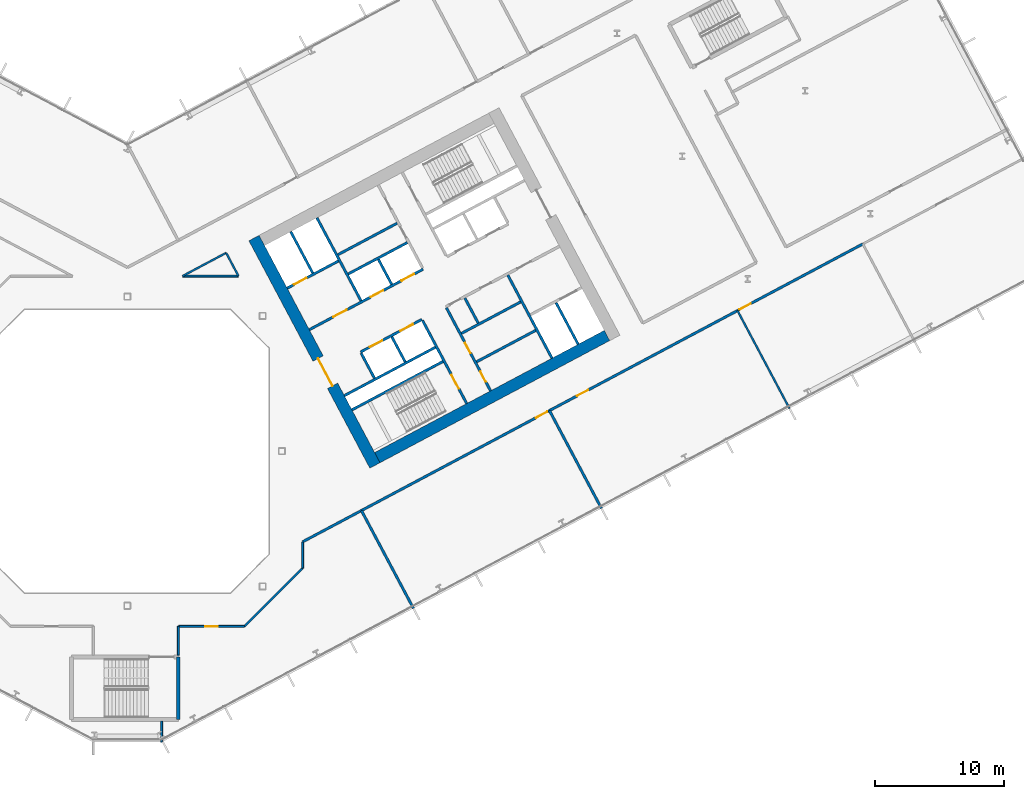
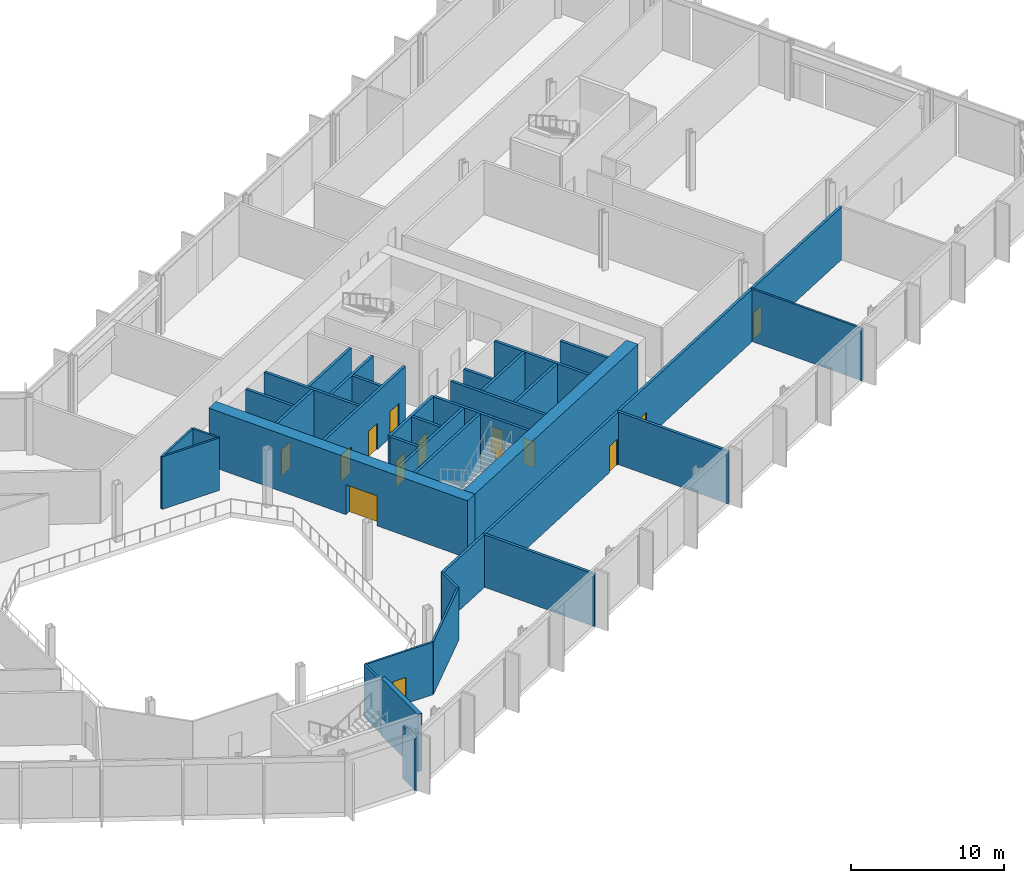
# One storey, part 17 of 31: 34 walls, 14 doors, 14 openings.
"""IFC4 building model written with IfcOpenShell, lengths in metres."""

from ifc_helpers import new_model, si_unit, direction, frame, frame_2d, origin, place, context, subcontext, project, spatial, rectangle, extrude, material, layer, layer_set, type_object, element, fill, save


model = new_model("IFC4")

# Units and contexts
model_context = context("Model", 3, precision=1e-05, world=origin(), true_north=direction((0.0, 1.0)))
body_context = subcontext(model_context, "Body", "Model", "MODEL_VIEW")
ifc_project = project(units=[si_unit("LENGTHUNIT", "METRE"), si_unit("AREAUNIT", "SQUARE_METRE"), si_unit("VOLUMEUNIT", "CUBIC_METRE"), si_unit("PLANEANGLEUNIT", "RADIAN"), si_unit("MASSUNIT", "GRAM", prefix="KILO")], contexts=[model_context])

# Site, building, storey
site_placement = place(None, origin())
site = spatial("IfcSite", under=ifc_project, at=site_placement, CompositionType="ELEMENT")
building_placement = place(site_placement, origin())
building = spatial("IfcBuilding", under=site, at=building_placement, Name="Cormorant Relay Tower", CompositionType="ELEMENT")
storey_placement = place(building_placement, frame((0.0, 0.0, 93.800048828125)))
storey = spatial("IfcBuildingStorey", under=building, at=storey_placement, Name="L18", CompositionType="ELEMENT", Elevation=93.800048828125)

# Walls
ifc_material_1 = material(Name="Concrete 40 MPa", Category="concrete")
ifc_layer_1 = layer(ifc_material_1, 0.199951171875)
ifc_layer_set_1 = layer_set([ifc_layer_1], Name="Core internal wall 200")
wall_type_1 = type_object("IfcWallType", Name="Core internal wall 200", PredefinedType="SOLIDWALL", material=ifc_layer_set_1)
for number, where, z_axis, x_axis, name in (
    (1, (21.567626953125, 6.9375, 0.0), (0.0, 0.0, 1.0), (-0.469533832133, 0.882914480843, 0.0), "L18 core B shaft and room wall"),
    (2, (20.522216796875, 12.950439453125, 0.0), (0.0, 0.0, 1.0), (-0.469401318492, 0.882984938828, 0.0), "L18 core B shaft and room wall"),
    (3, (27.236083984375, 9.951416015625, 0.0), (0.0, 0.0, 1.0), (-0.4694473164, 0.882960484464, 0.0), "L18 core B shaft and room wall"),
):
    element("IfcWall", number, at=place(storey_placement, frame(where, z_axis=z_axis, x_axis=x_axis)), inside=storey, type_object=wall_type_1, Name=name, PredefinedType="SOLIDWALL", context=body_context, shape_type="SweptSolid", body=[
        extrude(rectangle(XDim=2.199951171875, YDim=0.199951171875, at=frame_2d((1.10009765625, 0.0))), origin(), (0.0, 0.0, 1.0), 4.599853515625),
    ])
for number, where, z_axis, x_axis, name in (
    (4, (27.11474609375, 6.942138671875, 0.0), (0.0, 0.0, 1.0), (0.882934506056, 0.469496174655, 0.0), "L18 core B shaft and room wall"),
    (5, (16.3486328125, 15.26171875, 0.0), (0.0, 0.0, 1.0), (0.882953967957, 0.469459572775, 0.0), "L18 core B shaft and room wall"),
):
    element("IfcWall", number, at=place(storey_placement, frame(where, z_axis=z_axis, x_axis=x_axis)), inside=storey, type_object=wall_type_1, Name=name, PredefinedType="SOLIDWALL", context=body_context, shape_type="SweptSolid", body=[
        extrude(rectangle(XDim=5.199951171875, YDim=0.199951171875, at=frame_2d((2.60009765625, 0.0))), origin(), (0.0, 0.0, 1.0), 4.599853515625),
    ])
ifc_material_2 = material(Name="Concrete 50 MPa", Category="concrete")
ifc_layer_2 = layer(ifc_material_2, 0.199951171875)
ifc_layer_set_2 = layer_set([ifc_layer_2], Name="Core shaft wall 200")
wall_type_2 = type_object("IfcWallType", Name="Core shaft wall 200", PredefinedType="SHEAR", material=ifc_layer_set_2)
wall_1_placement = place(storey_placement, frame((14.39404296875, 13.825927734375, 0.0), z_axis=(0.0, 0.0, 1.0), x_axis=(-0.469494272526, 0.882935517501, 0.0)))
element("IfcWall", 6, at=wall_1_placement, inside=storey, type_object=wall_type_2, Name="L18 core B shaft wall", PredefinedType="SHEAR", context=body_context, shape_type="SweptSolid", body=[
    extrude(rectangle(XDim=3.64990234375, YDim=0.199951171875, at=frame_2d((1.824951171875, 0.0))), origin(), (0.0, 0.0, 1.0), 4.599853515625),
])
wall_2_placement = place(storey_placement, frame((19.18359375, 5.669921875, 0.0), z_axis=(0.0, 0.0, 1.0), x_axis=(-0.4694473164, 0.882960484464, 0.0)))
element("IfcWall", 7, at=wall_2_placement, inside=storey, type_object=wall_type_2, Name="L18 core B shaft wall", PredefinedType="SHEAR", context=body_context, shape_type="SweptSolid", body=[
    extrude(rectangle(XDim=2.199951171875, YDim=0.199951171875, at=frame_2d((1.10009765625, 0.0))), origin(), (0.0, 0.0, 1.0), 4.599853515625),
])
wall_3_placement = place(storey_placement, frame((18.138427734375, 11.682861328125, 0.0), z_axis=(0.0, 0.0, 1.0), x_axis=(-0.469480409012, 0.88294288918, 0.0)))
element("IfcWall", 8, at=wall_3_placement, inside=storey, type_object=wall_type_2, Name="L18 core B shaft wall", PredefinedType="SHEAR", context=body_context, shape_type="SweptSolid", body=[
    extrude(rectangle(XDim=7.300048828125, YDim=0.199951171875, at=frame_2d((3.64990234375, 0.0))), origin(), (0.0, 0.0, 1.0), 4.599853515625),
])

# Wall, opening, door
wall_4_placement = place(storey_placement, frame((26.345947265625, 3.701904296875, 0.0), z_axis=(0.0, 0.0, 1.0), x_axis=(-0.469480409012, 0.88294288918, 0.0)))
wall_4 = element("IfcWall", 9, at=wall_4_placement, inside=storey, type_object=wall_type_2, Name="L18 core B shaft wall", PredefinedType="SHEAR", context=body_context, shape_type="SweptSolid", body=[
    extrude(rectangle(XDim=7.300048828125, YDim=0.199951171875, at=frame_2d((3.64990234375, 0.0))), origin(), (0.0, 0.0, 1.0), 4.599853515625),
])
opening_1_placement = place(wall_4_placement, frame((1.300048828125, 0.0, 0.0)))
opening_1 = element("IfcOpeningElement", 10, at=opening_1_placement, cuts=wall_4, Name="Opening CDB-026", PredefinedType="OPENING", context=body_context, shape_type="SweptSolid", body=[
    extrude(rectangle(XDim=1.199951171875, YDim=2.10009765625, at=frame_2d((0.60009765625, 1.050048828125))), frame((0.0, 0.10986328125, 0.0), z_axis=(0.0, -1.0, 0.0), x_axis=(1.0, 0.0, 0.0)), (0.0, 0.0, 1.0), 0.219970703125),
])
ifc_material_3 = material(Name="Steel fire door", Category="steel")
door_type_1 = type_object("IfcDoorType", Name="Core stair door 1200x2100", OperationType="SINGLE_SWING_LEFT", PredefinedType="DOOR", material=ifc_material_3)
door_1_placement = place(opening_1_placement, origin())
door_1 = element("IfcDoor", 11, at=door_1_placement, inside=storey, type_object=door_type_1, Name="Core stair door 1200x2100", OperationType="SINGLE_SWING_RIGHT", OverallHeight=2.10009765625, OverallWidth=1.199951171875, PredefinedType="DOOR", context=body_context, shape_type="SweptSolid", body=[
    extrude(rectangle(XDim=1.199951171875, YDim=2.10009765625, at=frame_2d((0.60009765625, 1.050048828125))), frame((0.0, 0.02490234375, 0.0), z_axis=(0.0, -1.0, 0.0), x_axis=(1.0, 0.0, 0.0)), (0.0, 0.0, 1.0), 0.050048828125),
])
fill(opening_1, door_1)

# Wall, openings, doors
wall_5_placement = place(storey_placement, frame((28.199951171875, 4.687744140625, 0.0), z_axis=(0.0, 0.0, 1.0), x_axis=(-0.469454336211, 0.882956752176, 0.0)))
wall_5 = element("IfcWall", 12, at=wall_5_placement, inside=storey, type_object=wall_type_2, Name="L18 core B shaft wall", PredefinedType="SHEAR", context=body_context, shape_type="SweptSolid", body=[
    extrude(rectangle(XDim=7.300048828125, YDim=0.199951171875, at=frame_2d((3.64990234375, 0.0))), origin(), (0.0, 0.0, 1.0), 4.599853515625),
])
opening_2_placement = place(wall_5_placement, frame((0.800048828125, 0.0, 0.0)))
opening_2 = element("IfcOpeningElement", 13, at=opening_2_placement, cuts=wall_5, Name="Opening CDD-124", PredefinedType="OPENING", context=body_context, shape_type="SweptSolid", body=[
    extrude(rectangle(XDim=0.89990234375, YDim=2.10009765625, at=frame_2d((0.449951171875, 1.050048828125))), frame((0.0, 0.10986328125, 0.0), z_axis=(0.0, -1.0, 0.0), x_axis=(1.0, 0.0, 0.0)), (0.0, 0.0, 1.0), 0.219970703125),
])
opening_3_placement = place(wall_5_placement, frame((3.300048828125, 0.0, 0.0)))
opening_3 = element("IfcOpeningElement", 14, at=opening_3_placement, cuts=wall_5, Name="Opening CDD-125", PredefinedType="OPENING", context=body_context, shape_type="SweptSolid", body=[
    extrude(rectangle(XDim=0.89990234375, YDim=2.10009765625, at=frame_2d((0.449951171875, 1.050048828125))), frame((0.0, 0.10986328125, 0.0), z_axis=(0.0, -1.0, 0.0), x_axis=(1.0, 0.0, 0.0)), (0.0, 0.0, 1.0), 0.219970703125),
])
ifc_material_4 = material(Name="Steel fire door", Category="steel")
door_type_2 = type_object("IfcDoorType", Name="Core room door 900x2100", OperationType="SINGLE_SWING_LEFT", PredefinedType="DOOR", material=ifc_material_4)
door_2_placement = place(opening_2_placement, frame((0.89990234375, 0.0, 0.0), z_axis=(0.0, 0.0, 1.0), x_axis=(-1.0, 0.0, 0.0)))
door_2 = element("IfcDoor", 15, at=door_2_placement, inside=storey, type_object=door_type_2, Name="Core room door 900x2100", OperationType="SINGLE_SWING_LEFT", OverallHeight=2.10009765625, OverallWidth=0.89990234375, PredefinedType="DOOR", context=body_context, shape_type="SweptSolid", body=[
    extrude(rectangle(XDim=0.89990234375, YDim=2.10009765625, at=frame_2d((0.449951171875, 1.050048828125))), frame((0.0, 0.02490234375, 0.0), z_axis=(0.0, -1.0, 0.0), x_axis=(1.0, 0.0, 0.0)), (0.0, 0.0, 1.0), 0.050048828125),
])
fill(opening_2, door_2)
door_3_placement = place(opening_3_placement, frame((0.89990234375, 0.0, 0.0), z_axis=(0.0, 0.0, 1.0), x_axis=(-1.0, 0.0, 0.0)))
door_3 = element("IfcDoor", 16, at=door_3_placement, inside=storey, type_object=door_type_2, Name="Core room door 900x2100", OperationType="SINGLE_SWING_LEFT", OverallHeight=2.10009765625, OverallWidth=0.89990234375, PredefinedType="DOOR", context=body_context, shape_type="SweptSolid", body=[
    extrude(rectangle(XDim=0.89990234375, YDim=2.10009765625, at=frame_2d((0.449951171875, 1.050048828125))), frame((0.0, 0.02490234375, 0.0), z_axis=(0.0, -1.0, 0.0), x_axis=(1.0, 0.0, 0.0)), (0.0, 0.0, 1.0), 0.050048828125),
])
fill(opening_3, door_3)

# Walls
wall_6_placement = place(storey_placement, frame((32.968017578125, 7.222900390625, 0.0), z_axis=(0.0, 0.0, 1.0), x_axis=(-0.469480409012, 0.88294288918, 0.0)))
element("IfcWall", 17, at=wall_6_placement, inside=storey, type_object=wall_type_2, Name="L18 core B shaft wall", PredefinedType="SHEAR", context=body_context, shape_type="SweptSolid", body=[
    extrude(rectangle(XDim=7.300048828125, YDim=0.199951171875, at=frame_2d((3.64990234375, 0.0))), origin(), (0.0, 0.0, 1.0), 4.599853515625),
])
wall_7_placement = place(storey_placement, frame((34.998779296875, 8.302734375, 0.0), z_axis=(0.0, 0.0, 1.0), x_axis=(-0.4694665462, 0.882950260207, 0.0)))
element("IfcWall", 18, at=wall_7_placement, inside=storey, type_object=wall_type_2, Name="L18 core B shaft wall", PredefinedType="SHEAR", context=body_context, shape_type="SweptSolid", body=[
    extrude(rectangle(XDim=3.650146484375, YDim=0.199951171875, at=frame_2d((1.8251953125, 0.0))), origin(), (0.0, 0.0, 1.0), 4.599853515625),
])
for number, where, z_axis, x_axis, name in (
    (19, (17.43359375, 3.210205078125, 0.0), (0.0, 0.0, 1.0), (0.882940221191, 0.469485426614, 0.0), "L18 core B shaft wall"),
    (20, (16.8466796875, 4.31396484375, 0.0), (0.0, 0.0, 1.0), (0.882940221191, 0.469485426614, 0.0), "L18 core B shaft wall"),
):
    element("IfcWall", number, at=place(storey_placement, frame(where, z_axis=z_axis, x_axis=x_axis)), inside=storey, type_object=wall_type_2, Name=name, PredefinedType="SHEAR", context=body_context, shape_type="SweptSolid", body=[
        extrude(rectangle(XDim=8.0, YDim=0.199951171875, at=frame_2d((4.0, 0.0))), origin(), (0.0, 0.0, 1.0), 4.599853515625),
    ])
wall_8_placement = place(storey_placement, frame((25.94091796875, 9.149658203125, 0.0), z_axis=(0.0, 0.0, 1.0), x_axis=(0.882953967957, 0.469459572775, 0.0)))
element("IfcWall", 21, at=wall_8_placement, inside=storey, type_object=wall_type_2, Name="L18 core B shaft wall", PredefinedType="SHEAR", context=body_context, shape_type="SweptSolid", body=[
    extrude(rectangle(XDim=5.199951171875, YDim=0.199951171875, at=frame_2d((2.60009765625, 0.0))), origin(), (0.0, 0.0, 1.0), 4.599853515625),
])

# Wall, openings, doors
wall_9_placement = place(storey_placement, frame((18.103759765625, 7.70068359375, 0.0), z_axis=(0.0, 0.0, 1.0), x_axis=(0.882952937579, 0.469461510692, 0.0)))
wall_9 = element("IfcWall", 22, at=wall_9_placement, inside=storey, type_object=wall_type_2, Name="L18 core B shaft wall", PredefinedType="SHEAR", context=body_context, shape_type="SweptSolid", body=[
    extrude(rectangle(XDim=5.400146484375, YDim=0.199951171875, at=frame_2d((2.7001953125, 0.0))), origin(), (0.0, 0.0, 1.0), 4.599853515625),
])
opening_4_placement = place(wall_9_placement, frame((0.800048828125, 0.0, 0.0)))
opening_4 = element("IfcOpeningElement", 23, at=opening_4_placement, cuts=wall_9, Name="Opening LD1-032", PredefinedType="OPENING", context=body_context, shape_type="SweptSolid", body=[
    extrude(rectangle(XDim=1.10009765625, YDim=2.10009765625, at=frame_2d((0.550048828125, 1.050048828125))), frame((0.0, 0.10986328125, 0.0), z_axis=(0.0, -1.0, 0.0), x_axis=(1.0, 0.0, 0.0)), (0.0, 0.0, 1.0), 0.219970703125),
])
opening_5_placement = place(wall_9_placement, frame((3.5, 0.0, 0.0)))
opening_5 = element("IfcOpeningElement", 24, at=opening_5_placement, cuts=wall_9, Name="Opening LD1-033", PredefinedType="OPENING", context=body_context, shape_type="SweptSolid", body=[
    extrude(rectangle(XDim=1.10009765625, YDim=2.10009765625, at=frame_2d((0.550048828125, 1.050048828125))), frame((0.0, 0.10986328125, 0.0), z_axis=(0.0, -1.0, 0.0), x_axis=(1.0, 0.0, 0.0)), (0.0, 0.0, 1.0), 0.219970703125),
])
ifc_material_5 = material(Name="Stainless steel 316", Category="steel")
door_type_3 = type_object("IfcDoorType", Name="Lift landing door 1100x2100", OperationType="DOUBLE_DOOR_SLIDING", PredefinedType="DOOR", material=ifc_material_5)
door_4_placement = place(opening_4_placement, origin())
door_4 = element("IfcDoor", 25, at=door_4_placement, inside=storey, type_object=door_type_3, Name="LR5 landing door", OperationType="DOUBLE_DOOR_SLIDING", OverallHeight=2.10009765625, OverallWidth=1.10009765625, PredefinedType="DOOR", context=body_context, shape_type="SweptSolid", body=[
    extrude(rectangle(XDim=1.10009765625, YDim=2.10009765625, at=frame_2d((0.550048828125, 1.050048828125))), frame((0.0, 0.02490234375, 0.0), z_axis=(0.0, -1.0, 0.0), x_axis=(1.0, 0.0, 0.0)), (0.0, 0.0, 1.0), 0.050048828125),
])
fill(opening_4, door_4)
door_5_placement = place(opening_5_placement, origin())
door_5 = element("IfcDoor", 26, at=door_5_placement, inside=storey, type_object=door_type_3, Name="LR6 landing door", OperationType="DOUBLE_DOOR_SLIDING", OverallHeight=2.10009765625, OverallWidth=1.10009765625, PredefinedType="DOOR", context=body_context, shape_type="SweptSolid", body=[
    extrude(rectangle(XDim=1.10009765625, YDim=2.10009765625, at=frame_2d((0.550048828125, 1.050048828125))), frame((0.0, 0.02490234375, 0.0), z_axis=(0.0, -1.0, 0.0), x_axis=(1.0, 0.0, 0.0)), (0.0, 0.0, 1.0), 0.050048828125),
])
fill(opening_5, door_5)

wall_10_placement = place(storey_placement, frame((14.123779296875, 9.43505859375, 0.0), z_axis=(0.0, 0.0, 1.0), x_axis=(0.882940221191, 0.469485426614, 0.0)))
wall_10 = element("IfcWall", 27, at=wall_10_placement, inside=storey, type_object=wall_type_2, Name="L18 core B shaft wall", PredefinedType="SHEAR", context=body_context, shape_type="SweptSolid", body=[
    extrude(rectangle(XDim=10.0, YDim=0.199951171875, at=frame_2d((5.0, 0.0))), origin(), (0.0, 0.0, 1.0), 4.599853515625),
])
opening_6_placement = place(wall_10_placement, frame((2.10009765625, 0.0, 0.0)))
opening_6 = element("IfcOpeningElement", 28, at=opening_6_placement, cuts=wall_10, Name="Opening CDC-019", PredefinedType="OPENING", context=body_context, shape_type="SweptSolid", body=[
    extrude(rectangle(XDim=1.199951171875, YDim=2.10009765625, at=frame_2d((0.60009765625, 1.050048828125))), frame((0.0, 0.10986328125, 0.0), z_axis=(0.0, -1.0, 0.0), x_axis=(1.0, 0.0, 0.0)), (0.0, 0.0, 1.0), 0.219970703125),
])
opening_7_placement = place(wall_10_placement, frame((5.39990234375, 0.0, 0.0)))
opening_7 = element("IfcOpeningElement", 29, at=opening_7_placement, cuts=wall_10, Name="Opening LD1-028", PredefinedType="OPENING", context=body_context, shape_type="SweptSolid", body=[
    extrude(rectangle(XDim=1.10009765625, YDim=2.10009765625, at=frame_2d((0.550048828125, 1.050048828125))), frame((0.0, 0.10986328125, 0.0), z_axis=(0.0, -1.0, 0.0), x_axis=(1.0, 0.0, 0.0)), (0.0, 0.0, 1.0), 0.219970703125),
])
opening_8_placement = place(wall_10_placement, frame((8.10009765625, 0.0, 0.0)))
opening_8 = element("IfcOpeningElement", 30, at=opening_8_placement, cuts=wall_10, Name="Opening LD1-029", PredefinedType="OPENING", context=body_context, shape_type="SweptSolid", body=[
    extrude(rectangle(XDim=1.10009765625, YDim=2.10009765625, at=frame_2d((0.550048828125, 1.050048828125))), frame((0.0, 0.10986328125, 0.0), z_axis=(0.0, -1.0, 0.0), x_axis=(1.0, 0.0, 0.0)), (0.0, 0.0, 1.0), 0.219970703125),
])
ifc_material_6 = material(Name="Steel fire door", Category="steel")
door_type_4 = type_object("IfcDoorType", Name="Core lobby door 1200x2100", OperationType="SINGLE_SWING_LEFT", PredefinedType="DOOR", material=ifc_material_6)
door_6_placement = place(opening_6_placement, origin())
door_6 = element("IfcDoor", 31, at=door_6_placement, inside=storey, type_object=door_type_4, Name="Core lobby door 1200x2100", OperationType="SINGLE_SWING_RIGHT", OverallHeight=2.10009765625, OverallWidth=1.199951171875, PredefinedType="DOOR", context=body_context, shape_type="SweptSolid", body=[
    extrude(rectangle(XDim=1.199951171875, YDim=2.10009765625, at=frame_2d((0.60009765625, 1.050048828125))), frame((0.0, 0.02490234375, 0.0), z_axis=(0.0, -1.0, 0.0), x_axis=(1.0, 0.0, 0.0)), (0.0, 0.0, 1.0), 0.050048828125),
])
fill(opening_6, door_6)
door_7_placement = place(opening_7_placement, origin())
door_7 = element("IfcDoor", 32, at=door_7_placement, inside=storey, type_object=door_type_3, Name="LR1 landing door", OperationType="DOUBLE_DOOR_SLIDING", OverallHeight=2.10009765625, OverallWidth=1.10009765625, PredefinedType="DOOR", context=body_context, shape_type="SweptSolid", body=[
    extrude(rectangle(XDim=1.10009765625, YDim=2.10009765625, at=frame_2d((0.550048828125, 1.050048828125))), frame((0.0, 0.02490234375, 0.0), z_axis=(0.0, -1.0, 0.0), x_axis=(1.0, 0.0, 0.0)), (0.0, 0.0, 1.0), 0.050048828125),
])
fill(opening_7, door_7)
door_8_placement = place(opening_8_placement, origin())
door_8 = element("IfcDoor", 33, at=door_8_placement, inside=storey, type_object=door_type_3, Name="LR2 landing door", OperationType="DOUBLE_DOOR_SLIDING", OverallHeight=2.10009765625, OverallWidth=1.10009765625, PredefinedType="DOOR", context=body_context, shape_type="SweptSolid", body=[
    extrude(rectangle(XDim=1.10009765625, YDim=2.10009765625, at=frame_2d((0.550048828125, 1.050048828125))), frame((0.0, 0.02490234375, 0.0), z_axis=(0.0, -1.0, 0.0), x_axis=(1.0, 0.0, 0.0)), (0.0, 0.0, 1.0), 0.050048828125),
])
fill(opening_8, door_8)

# Wall
wall_11_placement = place(storey_placement, frame((17.146728515625, 13.7607421875, 0.0), z_axis=(0.0, 0.0, 1.0), x_axis=(0.882964314875, 0.469440111896, 0.0)))
element("IfcWall", 34, at=wall_11_placement, inside=storey, type_object=wall_type_2, Name="L18 core B shaft wall", PredefinedType="SHEAR", context=body_context, shape_type="SweptSolid", body=[
    extrude(rectangle(XDim=5.2001953125, YDim=0.199951171875, at=frame_2d((2.60009765625, 0.0))), origin(), (0.0, 0.0, 1.0), 4.599853515625),
])

# Wall, opening, door
wall_12_placement = place(storey_placement, frame((12.41015625, 12.657958984375, 0.0), z_axis=(0.0, 0.0, 1.0), x_axis=(0.8829484765, 0.469469900894, 0.0)))
wall_12 = element("IfcWall", 35, at=wall_12_placement, inside=storey, type_object=wall_type_2, Name="L18 core B shaft wall", PredefinedType="SHEAR", context=body_context, shape_type="SweptSolid", body=[
    extrude(rectangle(XDim=4.499755859375, YDim=0.199951171875, at=frame_2d((2.25, 0.0))), origin(), (0.0, 0.0, 1.0), 4.599853515625),
])
opening_9_placement = place(wall_12_placement, frame((0.60009765625, 0.0, 0.0)))
opening_9 = element("IfcOpeningElement", 36, at=opening_9_placement, cuts=wall_12, Name="Opening LD1-034", PredefinedType="OPENING", context=body_context, shape_type="SweptSolid", body=[
    extrude(rectangle(XDim=1.10009765625, YDim=2.10009765625, at=frame_2d((0.550048828125, 1.050048828125))), frame((0.0, 0.10986328125, 0.0), z_axis=(0.0, -1.0, 0.0), x_axis=(1.0, 0.0, 0.0)), (0.0, 0.0, 1.0), 0.219970703125),
])
door_9_placement = place(opening_9_placement, origin())
door_9 = element("IfcDoor", 37, at=door_9_placement, inside=storey, type_object=door_type_3, Name="FF2 landing door", OperationType="DOUBLE_DOOR_SLIDING", OverallHeight=2.10009765625, OverallWidth=1.10009765625, PredefinedType="DOOR", context=body_context, shape_type="SweptSolid", body=[
    extrude(rectangle(XDim=1.10009765625, YDim=2.10009765625, at=frame_2d((0.550048828125, 1.050048828125))), frame((0.0, 0.02490234375, 0.0), z_axis=(0.0, -1.0, 0.0), x_axis=(1.0, 0.0, 0.0)), (0.0, 0.0, 1.0), 0.050048828125),
])
fill(opening_9, door_9)

ifc_material_7 = material(Name="Concrete 70 MPa", Category="concrete")
ifc_layer_3 = layer(ifc_material_7, 0.89990234375)
ifc_layer_set_3 = layer_set([ifc_layer_3], Name="Core wall 900")
wall_type_3 = type_object("IfcWallType", Name="Core wall 900", PredefinedType="SHEAR", material=ifc_layer_set_3)
wall_13_placement = place(storey_placement, frame((19.21923828125, -1.106689453125, 0.0), z_axis=(0.0, 0.0, 1.0), x_axis=(-0.46947084998, 0.882947971864, 0.0)))
wall_13 = element("IfcWall", 38, at=wall_13_placement, inside=storey, type_object=wall_type_3, Name="L18 core B wall", PredefinedType="SHEAR", context=body_context, shape_type="SweptSolid", body=[
    extrude(rectangle(XDim=20.0, YDim=0.89990234375, at=frame_2d((10.0, 0.0))), origin(), (0.0, 0.0, 1.0), 4.599853515625),
])
opening_10_placement = place(wall_13_placement, frame((7.0, 0.0, 0.0)))
opening_10 = element("IfcOpeningElement", 39, at=opening_10_placement, cuts=wall_13, Name="Opening CDA-019", PredefinedType="OPENING", context=body_context, shape_type="SweptSolid", body=[
    extrude(rectangle(XDim=2.39990234375, YDim=2.39990234375, at=frame_2d((1.199951171875, 1.199951171875))), frame((0.0, 0.4599609375, 0.0), z_axis=(0.0, -1.0, 0.0), x_axis=(1.0, 0.0, 0.0)), (0.0, 0.0, 1.0), 0.919921875),
])
ifc_material_8 = material(Name="Steel fire door", Category="steel")
door_type_5 = type_object("IfcDoorType", Name="Core lobby door 2400x2400", OperationType="DOUBLE_DOOR_SINGLE_SWING", PredefinedType="DOOR", material=ifc_material_8)
door_10_placement = place(opening_10_placement, frame((2.39990234375, 0.0, 0.0), z_axis=(0.0, 0.0, 1.0), x_axis=(-1.0, 0.0, 0.0)))
door_10 = element("IfcDoor", 40, at=door_10_placement, inside=storey, type_object=door_type_5, Name="Core lobby door 2400x2400", OperationType="DOUBLE_DOOR_SINGLE_SWING", OverallHeight=2.39990234375, OverallWidth=2.39990234375, PredefinedType="DOOR", context=body_context, shape_type="SweptSolid", body=[
    extrude(rectangle(XDim=2.39990234375, YDim=2.39990234375, at=frame_2d((1.199951171875, 1.199951171875))), frame((0.0, 0.02490234375, 0.0), z_axis=(0.0, -1.0, 0.0), x_axis=(1.0, 0.0, 0.0)), (0.0, 0.0, 1.0), 0.050048828125),
])
fill(opening_10, door_10)

# Walls
wall_14_placement = place(storey_placement, frame((19.4052734375, -0.498046875, 0.0), z_axis=(0.0, 0.0, 1.0), x_axis=(0.88294509198, 0.469476266226, 0.0)))
element("IfcWall", 41, at=wall_14_placement, inside=storey, type_object=wall_type_3, Name="L18 core B wall", PredefinedType="SHEAR", context=body_context, shape_type="SweptSolid", body=[
    extrude(rectangle(XDim=20.199951171875, YDim=0.89990234375, at=frame_2d((10.10009765625, 0.0))), origin(), (0.0, 0.0, 1.0), 4.599853515625),
])
ifc_material_9 = material(Name="Fire-rated gypsum board partition")
ifc_layer_4 = layer(ifc_material_9, 0.199951171875)
ifc_layer_set_4 = layer_set([ifc_layer_4], Name="Fire-rated gypsum partition 200")
wall_type_4 = type_object("IfcWallType", Name="Fire-rated gypsum partition 200", PredefinedType="PARTITIONING", material=ifc_layer_set_4)
wall_15_placement = place(storey_placement, frame((18.172119140625, -4.60791015625, 0.0), z_axis=(0.0, 0.0, 1.0), x_axis=(0.469386979633, -0.882992561323, 0.0)))
element("IfcWall", 42, at=wall_15_placement, inside=storey, type_object=wall_type_4, Name="wall/L18/part/33", PredefinedType="PARTITIONING", context=body_context, shape_type="SweptSolid", body=[
    extrude(rectangle(XDim=8.600341796875, YDim=0.199951171875, at=frame_2d((4.30029296875, 0.0))), origin(), (0.0, 0.0, 1.0), 4.199951171875),
])

# Wall, openings, doors
wall_16_placement = place(storey_placement, frame((57.10498046875, 16.093017578125, 0.0), z_axis=(0.0, 0.0, 1.0), x_axis=(-0.882946553343, -0.469473517827, 0.0)))
wall_16 = element("IfcWall", 43, at=wall_16_placement, inside=storey, type_object=wall_type_4, Name="wall/L18/part/34", PredefinedType="PARTITIONING", context=body_context, shape_type="SweptSolid", body=[
    extrude(rectangle(XDim=49.2724609375, YDim=0.199951171875, at=frame_2d((24.63623046875, 0.0))), origin(), (0.0, 0.0, 1.0), 4.199951171875),
])
opening_11_placement = place(wall_16_placement, frame((27.75, 0.0, 0.0)))
opening_11 = element("IfcOpeningElement", 44, at=opening_11_placement, cuts=wall_16, Name="Opening FD1-103", PredefinedType="OPENING", context=body_context, shape_type="SweptSolid", body=[
    extrude(rectangle(XDim=1.0, YDim=2.10009765625, at=frame_2d((0.5, 1.050048828125))), frame((0.0, 0.10986328125, 0.0), z_axis=(0.0, -1.0, 0.0), x_axis=(1.0, 0.0, 0.0)), (0.0, 0.0, 1.0), 0.219970703125),
])
opening_12_placement = place(wall_16_placement, frame((24.14990234375, 0.0, 0.0)))
opening_12 = element("IfcOpeningElement", 45, at=opening_12_placement, cuts=wall_16, Name="Opening FD1-104", PredefinedType="OPENING", context=body_context, shape_type="SweptSolid", body=[
    extrude(rectangle(XDim=1.0, YDim=2.10009765625, at=frame_2d((0.5, 1.050048828125))), frame((0.0, 0.10986328125, 0.0), z_axis=(0.0, -1.0, 0.0), x_axis=(1.0, 0.0, 0.0)), (0.0, 0.0, 1.0), 0.219970703125),
])
opening_13_placement = place(wall_16_placement, frame((9.85009765625, 0.0, 0.0)))
opening_13 = element("IfcOpeningElement", 46, at=opening_13_placement, cuts=wall_16, Name="Opening FD1-105", PredefinedType="OPENING", context=body_context, shape_type="SweptSolid", body=[
    extrude(rectangle(XDim=1.0, YDim=2.10009765625, at=frame_2d((0.5, 1.050048828125))), frame((0.0, 0.10986328125, 0.0), z_axis=(0.0, -1.0, 0.0), x_axis=(1.0, 0.0, 0.0)), (0.0, 0.0, 1.0), 0.219970703125),
])
ifc_material_10 = material(Name="Fire-rated steel door", Category="steel")
door_type_6 = type_object("IfcDoorType", Name="Fire door 1000 x 2100", OperationType="SINGLE_SWING_LEFT", PredefinedType="DOOR", material=ifc_material_10)
door_11_placement = place(opening_11_placement, origin())
door_11 = element("IfcDoor", 47, at=door_11_placement, inside=storey, type_object=door_type_6, Name="door/L18/13", OperationType="SINGLE_SWING_LEFT", OverallHeight=2.10009765625, OverallWidth=1.0, PredefinedType="DOOR", context=body_context, shape_type="SweptSolid", body=[
    extrude(rectangle(XDim=1.0, YDim=2.10009765625, at=frame_2d((0.5, 1.050048828125))), frame((0.0, 0.02490234375, 0.0), z_axis=(0.0, -1.0, 0.0), x_axis=(1.0, 0.0, 0.0)), (0.0, 0.0, 1.0), 0.050048828125),
])
fill(opening_11, door_11)
door_12_placement = place(opening_12_placement, origin())
door_12 = element("IfcDoor", 48, at=door_12_placement, inside=storey, type_object=door_type_6, Name="door/L18/14", OperationType="SINGLE_SWING_RIGHT", OverallHeight=2.10009765625, OverallWidth=1.0, PredefinedType="DOOR", context=body_context, shape_type="SweptSolid", body=[
    extrude(rectangle(XDim=1.0, YDim=2.10009765625, at=frame_2d((0.5, 1.050048828125))), frame((0.0, 0.02490234375, 0.0), z_axis=(0.0, -1.0, 0.0), x_axis=(1.0, 0.0, 0.0)), (0.0, 0.0, 1.0), 0.050048828125),
])
fill(opening_12, door_12)
door_13_placement = place(opening_13_placement, origin())
door_13 = element("IfcDoor", 49, at=door_13_placement, inside=storey, type_object=door_type_6, Name="door/L18/15", OperationType="SINGLE_SWING_RIGHT", OverallHeight=2.10009765625, OverallWidth=1.0, PredefinedType="DOOR", context=body_context, shape_type="SweptSolid", body=[
    extrude(rectangle(XDim=1.0, YDim=2.10009765625, at=frame_2d((0.5, 1.050048828125))), frame((0.0, 0.02490234375, 0.0), z_axis=(0.0, -1.0, 0.0), x_axis=(1.0, 0.0, 0.0)), (0.0, 0.0, 1.0), 0.050048828125),
])
fill(opening_13, door_13)

# Walls
wall_17_placement = place(storey_placement, frame((36.80908203125, -4.43896484375, 0.0), z_axis=(0.0, 0.0, 1.0), x_axis=(-0.469409112223, 0.882980795579, 0.0)))
element("IfcWall", 50, at=wall_17_placement, inside=storey, type_object=wall_type_4, Name="wall/L18/part/37", PredefinedType="PARTITIONING", context=body_context, shape_type="SweptSolid", body=[
    extrude(rectangle(XDim=8.600341796875, YDim=0.199951171875, at=frame_2d((4.30029296875, 0.0))), origin(), (0.0, 0.0, 1.0), 4.199951171875),
])
ifc_material_11 = material(Name="Gypsum board partition")
ifc_layer_5 = layer(ifc_material_11, 0.14990234375)
ifc_layer_set_5 = layer_set([ifc_layer_5], Name="Gypsum board partition 150")
wall_type_5 = type_object("IfcWallType", Name="Gypsum board partition 150", PredefinedType="PARTITIONING", material=ifc_layer_set_5)
wall_18_placement = place(storey_placement, frame((2.64892578125, -22.58203125, 0.0), z_axis=(0.0, 0.0, 1.0), x_axis=(0.0, 1.0, 0.0)))
element("IfcWall", 51, at=wall_18_placement, inside=storey, type_object=wall_type_5, Name="wall/L18/part/27", PredefinedType="PARTITIONING", context=body_context, shape_type="SweptSolid", body=[
    extrude(rectangle(XDim=1.6220703125, YDim=0.14990234375, at=frame_2d((0.81103515625, 0.0))), origin(), (0.0, 0.0, 1.0), 4.199951171875),
])
wall_19_placement = place(storey_placement, frame((3.949951171875, -13.60009765625, 0.0), z_axis=(0.0, 0.0, 1.0), x_axis=(0.0, -1.0, 0.0)))
element("IfcWall", 52, at=wall_19_placement, inside=storey, type_object=wall_type_5, Name="wall/L18/part/28", PredefinedType="PARTITIONING", context=body_context, shape_type="SweptSolid", body=[
    extrude(rectangle(XDim=2.239990234375, YDim=0.14990234375, at=frame_2d((1.1201171875, 0.0))), origin(), (0.0, 0.0, 1.0), 4.199951171875),
])
wall_20_placement = place(storey_placement, frame((13.60009765625, -7.052978515625, 0.0), z_axis=(0.0, 0.0, 1.0), x_axis=(0.0, -1.0, 0.0)))
element("IfcWall", 53, at=wall_20_placement, inside=storey, type_object=wall_type_5, Name="wall/L18/part/29", PredefinedType="PARTITIONING", context=body_context, shape_type="SweptSolid", body=[
    extrude(rectangle(XDim=2.02392578125, YDim=0.14990234375, at=frame_2d((1.011962890625, 0.0))), origin(), (0.0, 0.0, 1.0), 4.199951171875),
])
wall_21_placement = place(storey_placement, frame((13.60009765625, -9.076904296875, 0.0), z_axis=(0.0, 0.0, 1.0), x_axis=(-0.707106781187, -0.707106781187, 0.0)))
element("IfcWall", 54, at=wall_21_placement, inside=storey, type_object=wall_type_5, Name="wall/L18/part/30", PredefinedType="PARTITIONING", context=body_context, shape_type="SweptSolid", body=[
    extrude(rectangle(XDim=6.396728515625, YDim=0.14990234375, at=frame_2d((3.1982421875, 0.0))), origin(), (0.0, 0.0, 1.0), 4.199951171875),
])

# Wall, opening, door
wall_22_placement = place(storey_placement, frame((9.076904296875, -13.60009765625, 0.0), z_axis=(0.0, 0.0, 1.0), x_axis=(-1.0, 0.0, 0.0)))
wall_22 = element("IfcWall", 55, at=wall_22_placement, inside=storey, type_object=wall_type_5, Name="wall/L18/part/31", PredefinedType="PARTITIONING", context=body_context, shape_type="SweptSolid", body=[
    extrude(rectangle(XDim=5.091796875, YDim=0.14990234375, at=frame_2d((2.5458984375, 0.0))), origin(), (0.0, 0.0, 1.0), 4.199951171875),
])
opening_14_placement = place(wall_22_placement, frame((2.050048828125, 0.0, 0.0)))
opening_14 = element("IfcOpeningElement", 56, at=opening_14_placement, cuts=wall_22, Name="Opening D1-043", PredefinedType="OPENING", context=body_context, shape_type="SweptSolid", body=[
    extrude(rectangle(XDim=1.0, YDim=2.10009765625, at=frame_2d((0.5, 1.050048828125))), frame((0.0, 0.0849609375, 0.0), z_axis=(0.0, -1.0, 0.0), x_axis=(1.0, 0.0, 0.0)), (0.0, 0.0, 1.0), 0.169921875),
])
ifc_material_12 = material(Name="Painted steel door", Category="steel")
door_type_7 = type_object("IfcDoorType", Name="Single door 1000 x 2100", OperationType="SINGLE_SWING_LEFT", PredefinedType="DOOR", material=ifc_material_12)
door_14_placement = place(opening_14_placement, origin())
door_14 = element("IfcDoor", 57, at=door_14_placement, inside=storey, type_object=door_type_7, Name="door/L18/12", OperationType="SINGLE_SWING_RIGHT", OverallHeight=2.10009765625, OverallWidth=1.0, PredefinedType="DOOR", context=body_context, shape_type="SweptSolid", body=[
    extrude(rectangle(XDim=1.0, YDim=2.10009765625, at=frame_2d((0.5, 1.050048828125))), frame((0.0, 0.02490234375, 0.0), z_axis=(0.0, -1.0, 0.0), x_axis=(1.0, 0.0, 0.0)), (0.0, 0.0, 1.0), 0.050048828125),
])
fill(opening_14, door_14)

# Walls
wall_23_placement = place(storey_placement, frame((47.3720703125, 10.91796875, 0.0), z_axis=(0.0, 0.0, 1.0), x_axis=(0.469298440423, -0.883039621884, 0.0)))
element("IfcWall", 58, at=wall_23_placement, inside=storey, type_object=wall_type_5, Name="wall/L18/part/38", PredefinedType="PARTITIONING", context=body_context, shape_type="SweptSolid", body=[
    extrude(rectangle(XDim=8.599853515625, YDim=0.14990234375, at=frame_2d((4.2998046875, 0.0))), origin(), (0.0, 0.0, 1.0), 4.199951171875),
])
wall_24_placement = place(storey_placement, frame((4.277099609375, 13.60009765625, 0.0), z_axis=(0.0, 0.0, 1.0), x_axis=(1.0, 0.0, 0.0)))
element("IfcWall", 59, at=wall_24_placement, inside=storey, type_object=wall_type_5, Name="wall/L18/part/62", PredefinedType="PARTITIONING", context=body_context, shape_type="SweptSolid", body=[
    extrude(rectangle(XDim=4.347900390625, YDim=0.14990234375, at=frame_2d((2.173828125, 0.0))), origin(), (0.0, 0.0, 1.0), 4.199951171875),
])
wall_25_placement = place(storey_placement, frame((8.625, 13.60009765625, 0.0), z_axis=(0.0, 0.0, 1.0), x_axis=(-0.469420518513, 0.882974731688, 0.0)))
element("IfcWall", 60, at=wall_25_placement, inside=storey, type_object=wall_type_5, Name="wall/L18/part/63", PredefinedType="PARTITIONING", context=body_context, shape_type="SweptSolid", body=[
    extrude(rectangle(XDim=2.040771484375, YDim=0.14990234375, at=frame_2d((1.0205078125, 0.0))), origin(), (0.0, 0.0, 1.0), 4.199951171875),
])
wall_26_placement = place(storey_placement, frame((7.6669921875, 15.402099609375, 0.0), z_axis=(0.0, 0.0, 1.0), x_axis=(-0.882994654303, -0.469383042378, 0.0)))
element("IfcWall", 61, at=wall_26_placement, inside=storey, type_object=wall_type_5, Name="wall/L18/part/64", PredefinedType="PARTITIONING", context=body_context, shape_type="SweptSolid", body=[
    extrude(rectangle(XDim=3.839111328125, YDim=0.14990234375, at=frame_2d((1.91943359375, 0.0))), origin(), (0.0, 0.0, 1.0), 4.199951171875),
])
ifc_material_13 = material(Name="Concrete 50 MPa", Category="concrete")
ifc_layer_6 = layer(ifc_material_13, 0.300048828125)
ifc_layer_set_6 = layer_set([ifc_layer_6], Name="Remote stair wall 300")
wall_type_6 = type_object("IfcWallType", Name="Remote stair wall 300", PredefinedType="SHEAR", material=ifc_layer_set_6)
wall_27_placement = place(storey_placement, frame((3.949951171875, -15.97509765625, 0.0), z_axis=(0.0, 0.0, 1.0), x_axis=(0.0, -1.0, 0.0)))
element("IfcWall", 62, at=wall_27_placement, inside=storey, type_object=wall_type_6, Name="L18 exit stair RK1 wall", PredefinedType="SHEAR", context=body_context, shape_type="SweptSolid", body=[
    extrude(rectangle(XDim=4.849853515625, YDim=0.300048828125, at=frame_2d((2.4248046875, 0.0))), origin(), (0.0, 0.0, 1.0), 4.599853515625),
])

save(model, "model.ifc")
